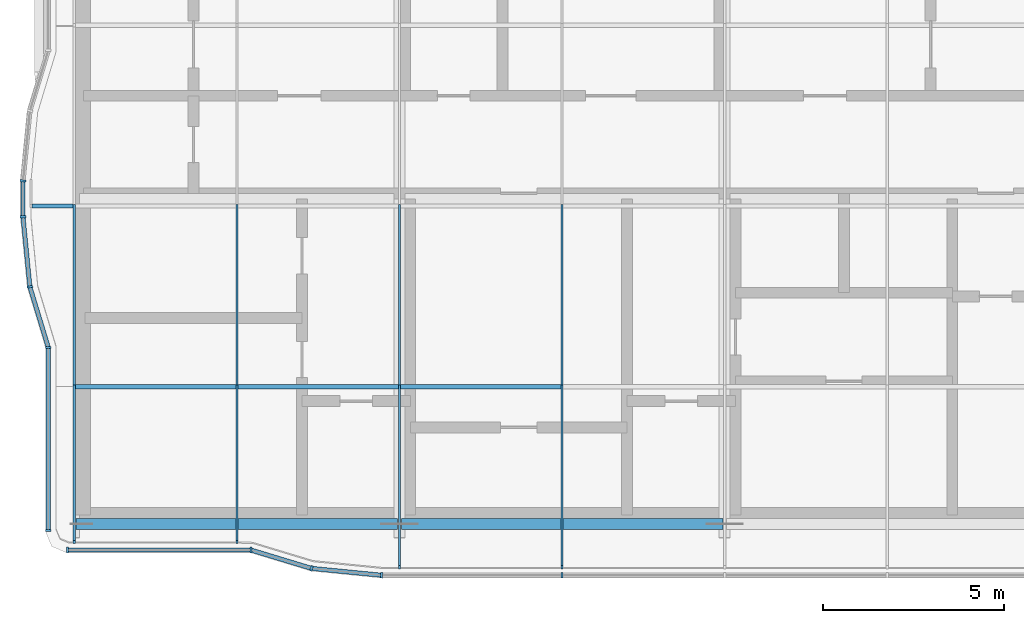
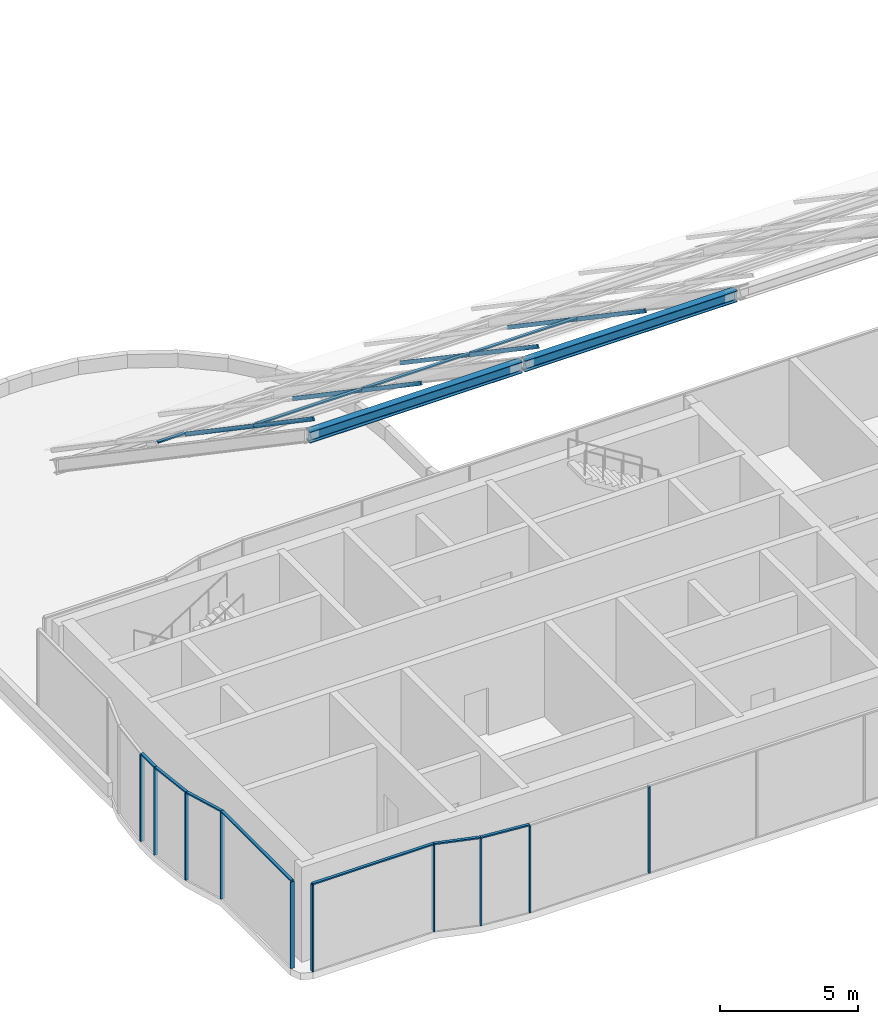
# One storey, part 2 of 25: 31 members, 11 elements without a shape of their own.
"""IFC4 building model written with IfcOpenShell, lengths in metres."""

from ifc_helpers import new_model, si_unit, direction, frame, origin, origin_2d, place, context, subcontext, project, spatial, rectangle, i_section, extrude, material, material_profile, profile_set, type_object, element, aggregate, save


model = new_model("IFC4")

# Units and contexts
model_context = context("Model", 3, precision=1e-05, world=origin(), true_north=direction((0.0, 1.0)))
body_context = subcontext(model_context, "Body", "Model", "MODEL_VIEW")
ifc_project = project(units=[si_unit("LENGTHUNIT", "METRE"), si_unit("AREAUNIT", "SQUARE_METRE"), si_unit("VOLUMEUNIT", "CUBIC_METRE"), si_unit("PLANEANGLEUNIT", "RADIAN"), si_unit("MASSUNIT", "GRAM", prefix="KILO")], contexts=[model_context])

# Site, building, storey
site_placement = place(None, origin())
site = spatial("IfcSite", under=ifc_project, at=site_placement, CompositionType="ELEMENT")
building_placement = place(site_placement, origin())
building = spatial("IfcBuilding", under=site, at=building_placement, Name="Ogive Portal Towers", CompositionType="ELEMENT")
storey_placement = place(building_placement, frame((0.0, 0.0, 272.89990234375)))
storey = spatial("IfcBuildingStorey", under=building, at=storey_placement, Name="L66", CompositionType="ELEMENT", Elevation=272.89990234375)

# Members
ifc_material_1 = material(Name="Steel S355", Category="steel")
ifc_material_profile_1 = material_profile(ifc_material_1, i_section(OverallWidth=0.300048828125, OverallDepth=0.489990234375, WebThickness=0.011962890625, FlangeThickness=0.02294921875, FilletRadius=0.027099609375, at=origin_2d()), Name="HEA 500")
ifc_profile_set_1 = profile_set([ifc_material_profile_1], Name="Steel S355")
member_type_1 = type_object("IfcMemberType", Name="CROWN RIDGE BEAM HEA 500", PredefinedType="STRUT", material=ifc_profile_set_1)
for number, where, z_axis, x_axis, name in (
    (1, (31.550048828125, 21.5, 23.175048828125), (1.0, 0.0, 0.0), (0.0, 1.0, 0.0), "Crown ridge"),
    (2, (40.550048828125, 21.5, 23.175048828125), (1.0, 0.0, 0.0), (0.0, 1.0, 0.0), "Crown ridge"),
):
    element("IfcMember", number, at=place(storey_placement, frame(where, z_axis=z_axis, x_axis=x_axis)), inside=storey, type_object=member_type_1, Name=name, PredefinedType="STRUT", context=body_context, shape_type="SweptSolid", body=[
        extrude(i_section(OverallWidth=0.300048828125, OverallDepth=0.489990234375, WebThickness=0.011962890625, FlangeThickness=0.02294921875, FilletRadius=0.027099609375, at=origin_2d()), origin(), (0.0, 0.0, 1.0), 8.89990234375),
    ])

# Curtain wall, members
ifc_material_2 = material(Name="Glass, clear low-iron insulated glazing", Category="glass")
curtain_wall_type = type_object("IfcCurtainWallType", Name="CW CROWN GLAZING", PredefinedType="NOTDEFINED", material=ifc_material_2)
curtain_wall_1_placement = place(storey_placement, origin())
curtain_wall_1 = element("IfcCurtainWall", 3, at=curtain_wall_1_placement, inside=storey, type_object=curtain_wall_type, Name="A:L66:c00:cw", PredefinedType="NOTDEFINED")
ifc_material_3 = material(Name="Aluminium 6063 anodised", Category="aluminium")
ifc_material_profile_2 = material_profile(ifc_material_3, rectangle(XDim=0.159912109375, YDim=0.06005859375, at=origin_2d()), Name="AL 60x160")
ifc_profile_set_2 = profile_set([ifc_material_profile_2], Name="Aluminium 6063 anodised")
member_type_2 = type_object("IfcMemberType", Name="CW MULLION 60x160", PredefinedType="MULLION", material=ifc_profile_set_2)
member_1_placement = place(storey_placement, frame((30.780029296875, 26.38671875, 0.0), z_axis=(0.0, 0.0, 1.0), x_axis=(1.0, 0.0, 0.0)))
member_1 = element("IfcMember", 4, at=member_1_placement, type_object=member_type_2, Name="mullion", PredefinedType="MULLION", context=body_context, shape_type="SweptSolid", body=[
    extrude(rectangle(XDim=0.159912109375, YDim=0.06005859375, at=origin_2d()), origin(), (0.0, 0.0, 1.0), 3.840087890625),
])
member_2_placement = place(storey_placement, frame((30.780029296875, 21.31591796875, 0.0), z_axis=(0.0, 0.0, 1.0), x_axis=(1.0, 0.0, 0.0)))
member_2 = element("IfcMember", 5, at=member_2_placement, type_object=member_type_2, Name="mullion", PredefinedType="MULLION", context=body_context, shape_type="SweptSolid", body=[
    extrude(rectangle(XDim=0.159912109375, YDim=0.06005859375, at=origin_2d()), origin(), (0.0, 0.0, 1.0), 3.840087890625),
])

curtain_wall_2_placement = place(storey_placement, origin())
curtain_wall_2 = element("IfcCurtainWall", 6, at=curtain_wall_2_placement, inside=storey, type_object=curtain_wall_type, Name="A:L66:c03:cw", PredefinedType="NOTDEFINED")
member_3_placement = place(storey_placement, frame((31.31591796875, 20.780029296875, 0.0), z_axis=(0.0, 0.0, 1.0), x_axis=(0.0, 1.0, 0.0)))
member_3 = element("IfcMember", 7, at=member_3_placement, type_object=member_type_2, Name="mullion", PredefinedType="MULLION", context=body_context, shape_type="SweptSolid", body=[
    extrude(rectangle(XDim=0.159912109375, YDim=0.06005859375, at=origin_2d()), origin(), (0.0, 0.0, 1.0), 3.840087890625),
])
member_4_placement = place(storey_placement, frame((36.38671875, 20.780029296875, 0.0), z_axis=(0.0, 0.0, 1.0), x_axis=(0.0, 1.0, 0.0)))
member_4 = element("IfcMember", 8, at=member_4_placement, type_object=member_type_2, Name="mullion", PredefinedType="MULLION", context=body_context, shape_type="SweptSolid", body=[
    extrude(rectangle(XDim=0.159912109375, YDim=0.06005859375, at=origin_2d()), origin(), (0.0, 0.0, 1.0), 3.840087890625),
])

# Curtain wall, member
curtain_wall_3_placement = place(storey_placement, origin())
curtain_wall_3 = element("IfcCurtainWall", 9, at=curtain_wall_3_placement, inside=storey, type_object=curtain_wall_type, Name="A:L66:c04:cw", PredefinedType="NOTDEFINED")
member_5_placement = place(storey_placement, frame((38.064697265625, 20.27099609375, 0.0), z_axis=(0.0, 0.0, 1.0), x_axis=(0.290284677254, 0.956940335732, 0.0)))
member_5 = element("IfcMember", 10, at=member_5_placement, type_object=member_type_2, Name="mullion", PredefinedType="MULLION", context=body_context, shape_type="SweptSolid", body=[
    extrude(rectangle(XDim=0.159912109375, YDim=0.06005859375, at=origin_2d()), origin(), (0.0, 0.0, 1.0), 3.840087890625),
])

curtain_wall_4_placement = place(storey_placement, origin())
curtain_wall_4 = element("IfcCurtainWall", 11, at=curtain_wall_4_placement, inside=storey, type_object=curtain_wall_type, Name="A:L66:c05:cw", PredefinedType="NOTDEFINED")
member_6_placement = place(storey_placement, frame((40.00390625, 20.080078125, 0.0), z_axis=(0.0, 0.0, 1.0), x_axis=(0.09801714033, 0.995184726672, 0.0)))
member_6 = element("IfcMember", 12, at=member_6_placement, type_object=member_type_2, Name="mullion", PredefinedType="MULLION", context=body_context, shape_type="SweptSolid", body=[
    extrude(rectangle(XDim=0.159912109375, YDim=0.06005859375, at=origin_2d()), origin(), (0.0, 0.0, 1.0), 3.840087890625),
])

curtain_wall_5_placement = place(storey_placement, origin())
curtain_wall_5 = element("IfcCurtainWall", 13, at=curtain_wall_5_placement, inside=storey, type_object=curtain_wall_type, Name="A:L66:c06:cw", PredefinedType="NOTDEFINED")
member_7_placement = place(storey_placement, frame((45.0, 20.080078125, 0.0), z_axis=(0.0, 0.0, 1.0), x_axis=(0.0, 1.0, 0.0)))
member_7 = element("IfcMember", 14, at=member_7_placement, type_object=member_type_2, Name="mullion", PredefinedType="MULLION", context=body_context, shape_type="SweptSolid", body=[
    extrude(rectangle(XDim=0.159912109375, YDim=0.06005859375, at=origin_2d()), origin(), (0.0, 0.0, 1.0), 3.840087890625),
])
aggregate(curtain_wall_5, [member_7])

curtain_wall_6_placement = place(storey_placement, origin())
curtain_wall_6 = element("IfcCurtainWall", 15, at=curtain_wall_6_placement, inside=storey, type_object=curtain_wall_type, Name="A:L66:c20:cw", PredefinedType="NOTDEFINED")
member_8_placement = place(storey_placement, frame((30.080078125, 30.99609375, 0.0), z_axis=(0.0, 0.0, 1.0), x_axis=(0.995184726672, -0.09801714033, 0.0)))
member_8 = element("IfcMember", 16, at=member_8_placement, type_object=member_type_2, Name="mullion", PredefinedType="MULLION", context=body_context, shape_type="SweptSolid", body=[
    extrude(rectangle(XDim=0.159912109375, YDim=0.06005859375, at=origin_2d()), origin(), (0.0, 0.0, 1.0), 3.840087890625),
])
aggregate(curtain_wall_6, [member_8])

curtain_wall_7_placement = place(storey_placement, origin())
curtain_wall_7 = element("IfcCurtainWall", 17, at=curtain_wall_7_placement, inside=storey, type_object=curtain_wall_type, Name="A:L66:c21:cw", PredefinedType="NOTDEFINED")
member_9_placement = place(storey_placement, frame((30.080078125, 30.00390625, 0.0), z_axis=(0.0, 0.0, 1.0), x_axis=(1.0, 0.0, 0.0)))
member_9 = element("IfcMember", 18, at=member_9_placement, type_object=member_type_2, Name="mullion", PredefinedType="MULLION", context=body_context, shape_type="SweptSolid", body=[
    extrude(rectangle(XDim=0.159912109375, YDim=0.06005859375, at=origin_2d()), origin(), (0.0, 0.0, 1.0), 3.840087890625),
])

curtain_wall_8_placement = place(storey_placement, origin())
curtain_wall_8 = element("IfcCurtainWall", 19, at=curtain_wall_8_placement, inside=storey, type_object=curtain_wall_type, Name="A:L66:c22:cw", PredefinedType="NOTDEFINED")
member_10_placement = place(storey_placement, frame((30.27099609375, 28.064697265625, 0.0), z_axis=(0.0, 0.0, 1.0), x_axis=(0.995184726672, 0.09801714033, 0.0)))
member_10 = element("IfcMember", 20, at=member_10_placement, type_object=member_type_2, Name="mullion", PredefinedType="MULLION", context=body_context, shape_type="SweptSolid", body=[
    extrude(rectangle(XDim=0.159912109375, YDim=0.06005859375, at=origin_2d()), origin(), (0.0, 0.0, 1.0), 3.840087890625),
])

# Curtain wall, members
curtain_wall_9_placement = place(storey_placement, origin())
curtain_wall_9 = element("IfcCurtainWall", 21, at=curtain_wall_9_placement, inside=storey, type_object=curtain_wall_type, Name="Crown roof glazing 1", PredefinedType="NOTDEFINED")
ifc_material_profile_3 = material_profile(ifc_material_3, rectangle(XDim=0.06005859375, YDim=0.159912109375, at=origin_2d()), Name="AL 60x160 rafter")
ifc_profile_set_3 = profile_set([ifc_material_profile_3], Name="Aluminium 6063 anodised")
member_type_3 = type_object("IfcMemberType", Name="CW ROOF RAFTER 60x160", PredefinedType="MULLION", material=ifc_profile_set_3)
member_11_placement = place(storey_placement, frame((31.5, 21.0, 24.255615234375), z_axis=(0.0, 0.826923009087, -0.562315158112), x_axis=(-1.0, 0.0, 0.0)))
member_11 = element("IfcMember", 22, at=member_11_placement, type_object=member_type_3, Name="roof rafter", PredefinedType="MULLION", context=body_context, shape_type="SweptSolid", body=[
    extrude(rectangle(XDim=0.06005859375, YDim=0.159912109375, at=origin_2d()), origin(), (0.0, 0.0, 1.0), 5.199951171875),
])
member_12_placement = place(storey_placement, frame((31.5, 25.300048828125, 21.33154296875), z_axis=(0.0, 0.82693401206, -0.562298977146), x_axis=(-1.0, 0.0, 0.0)))
member_12 = element("IfcMember", 23, at=member_12_placement, type_object=member_type_3, Name="roof rafter", PredefinedType="MULLION", context=body_context, shape_type="SweptSolid", body=[
    extrude(rectangle(XDim=0.06005859375, YDim=0.159912109375, at=origin_2d()), origin(), (0.0, 0.0, 1.0), 6.04638671875),
])
member_13_placement = place(storey_placement, frame((36.0, 21.0, 24.255615234375), z_axis=(0.0, 0.826923009087, -0.562315158112), x_axis=(-1.0, 0.0, 0.0)))
member_13 = element("IfcMember", 24, at=member_13_placement, type_object=member_type_3, Name="roof rafter", PredefinedType="MULLION", context=body_context, shape_type="SweptSolid", body=[
    extrude(rectangle(XDim=0.06005859375, YDim=0.159912109375, at=origin_2d()), origin(), (0.0, 0.0, 1.0), 5.199951171875),
])
member_14_placement = place(storey_placement, frame((36.0, 25.300048828125, 21.33154296875), z_axis=(0.0, 0.82693401206, -0.562298977146), x_axis=(-1.0, 0.0, 0.0)))
member_14 = element("IfcMember", 25, at=member_14_placement, type_object=member_type_3, Name="roof rafter", PredefinedType="MULLION", context=body_context, shape_type="SweptSolid", body=[
    extrude(rectangle(XDim=0.06005859375, YDim=0.159912109375, at=origin_2d()), origin(), (0.0, 0.0, 1.0), 6.04638671875),
])
member_15_placement = place(storey_placement, frame((40.5, 20.300048828125, 24.731689453125), z_axis=(0.0, 0.826915237064, -0.562326587236), x_axis=(-1.0, 0.0, 0.0)))
member_15 = element("IfcMember", 26, at=member_15_placement, type_object=member_type_3, Name="roof rafter", PredefinedType="MULLION", context=body_context, shape_type="SweptSolid", body=[
    extrude(rectangle(XDim=0.06005859375, YDim=0.159912109375, at=origin_2d()), origin(), (0.0, 0.0, 1.0), 6.046630859375),
])
member_16_placement = place(storey_placement, frame((40.5, 25.300048828125, 21.33154296875), z_axis=(0.0, 0.82693401206, -0.562298977146), x_axis=(-1.0, 0.0, 0.0)))
member_16 = element("IfcMember", 27, at=member_16_placement, type_object=member_type_3, Name="roof rafter", PredefinedType="MULLION", context=body_context, shape_type="SweptSolid", body=[
    extrude(rectangle(XDim=0.06005859375, YDim=0.159912109375, at=origin_2d()), origin(), (0.0, 0.0, 1.0), 6.04638671875),
])

curtain_wall_10_placement = place(storey_placement, origin())
curtain_wall_10 = element("IfcCurtainWall", 28, at=curtain_wall_10_placement, inside=storey, type_object=curtain_wall_type, Name="Crown roof glazing 2", PredefinedType="NOTDEFINED")
member_17_placement = place(storey_placement, frame((45.0, 20.300048828125, 24.731689453125), z_axis=(0.0, 0.826915237064, -0.562326587236), x_axis=(-1.0, 0.0, 0.0)))
member_17 = element("IfcMember", 29, at=member_17_placement, type_object=member_type_3, Name="roof rafter", PredefinedType="MULLION", context=body_context, shape_type="SweptSolid", body=[
    extrude(rectangle(XDim=0.06005859375, YDim=0.159912109375, at=origin_2d()), origin(), (0.0, 0.0, 1.0), 6.046630859375),
])
member_18_placement = place(storey_placement, frame((45.0, 25.300048828125, 21.33154296875), z_axis=(0.0, 0.82693401206, -0.562298977146), x_axis=(-1.0, 0.0, 0.0)))
member_18 = element("IfcMember", 30, at=member_18_placement, type_object=member_type_3, Name="roof rafter", PredefinedType="MULLION", context=body_context, shape_type="SweptSolid", body=[
    extrude(rectangle(XDim=0.06005859375, YDim=0.159912109375, at=origin_2d()), origin(), (0.0, 0.0, 1.0), 6.04638671875),
])

# Member
ifc_material_profile_4 = material_profile(ifc_material_3, rectangle(XDim=0.1201171875, YDim=0.06005859375, at=origin_2d()), Name="AL 120x60")
ifc_profile_set_4 = profile_set([ifc_material_profile_4], Name="Aluminium 6063 anodised")
member_type_4 = type_object("IfcMemberType", Name="CW TRANSOM 60x120", PredefinedType="USERDEFINED", material=ifc_profile_set_4)
member_19_placement = place(storey_placement, frame((30.780029296875, 26.38671875, 3.8701171875), z_axis=(0.0, -1.0, 0.0), x_axis=(1.0, 0.0, 0.0)))
member_19 = element("IfcMember", 31, at=member_19_placement, type_object=member_type_4, Name="transom", ObjectType="TRANSOM", PredefinedType="USERDEFINED", context=body_context, shape_type="SweptSolid", body=[
    extrude(rectangle(XDim=0.1201171875, YDim=0.06005859375, at=origin_2d()), origin(), (0.0, 0.0, 1.0), 5.07080078125),
])

aggregate(curtain_wall_1, [member_19, member_1, member_2])

member_20_placement = place(storey_placement, frame((31.31591796875, 20.780029296875, 3.8701171875), z_axis=(1.0, 0.0, 0.0), x_axis=(0.0, 1.0, 0.0)))
member_20 = element("IfcMember", 32, at=member_20_placement, type_object=member_type_4, Name="transom", ObjectType="TRANSOM", PredefinedType="USERDEFINED", context=body_context, shape_type="SweptSolid", body=[
    extrude(rectangle(XDim=0.1201171875, YDim=0.06005859375, at=origin_2d()), origin(), (0.0, 0.0, 1.0), 5.07080078125),
])

aggregate(curtain_wall_2, [member_20, member_3, member_4])

member_21_placement = place(storey_placement, frame((36.38671875, 20.780029296875, 3.8701171875), z_axis=(0.956936535945, -0.290297203178, 0.0), x_axis=(0.290297203178, 0.956936535945, 0.0)))
member_21 = element("IfcMember", 33, at=member_21_placement, type_object=member_type_4, Name="transom", ObjectType="TRANSOM", PredefinedType="USERDEFINED", context=body_context, shape_type="SweptSolid", body=[
    extrude(rectangle(XDim=0.1201171875, YDim=0.06005859375, at=origin_2d()), origin(), (0.0, 0.0, 1.0), 1.75341796875),
])

aggregate(curtain_wall_3, [member_21, member_5])

member_22_placement = place(storey_placement, frame((38.064697265625, 20.27099609375, 3.8701171875), z_axis=(0.995188602778, -0.097977777587, 0.0), x_axis=(0.097977777587, 0.995188602778, 0.0)))
member_22 = element("IfcMember", 34, at=member_22_placement, type_object=member_type_4, Name="transom", ObjectType="TRANSOM", PredefinedType="USERDEFINED", context=body_context, shape_type="SweptSolid", body=[
    extrude(rectangle(XDim=0.1201171875, YDim=0.06005859375, at=origin_2d()), origin(), (0.0, 0.0, 1.0), 1.948486328125),
])

aggregate(curtain_wall_4, [member_22, member_6])

member_23_placement = place(storey_placement, frame((30.080078125, 30.99609375, 3.8701171875), z_axis=(0.0, -1.0, 0.0), x_axis=(1.0, 0.0, 0.0)))
member_23 = element("IfcMember", 35, at=member_23_placement, type_object=member_type_4, Name="transom", ObjectType="TRANSOM", PredefinedType="USERDEFINED", context=body_context, shape_type="SweptSolid", body=[
    extrude(rectangle(XDim=0.1201171875, YDim=0.06005859375, at=origin_2d()), origin(), (0.0, 0.0, 1.0), 0.9921875),
])

aggregate(curtain_wall_7, [member_23, member_9])

member_24_placement = place(storey_placement, frame((30.080078125, 30.00390625, 3.8701171875), z_axis=(0.097977777587, -0.995188602778, 0.0), x_axis=(0.995188602778, 0.097977777587, 0.0)))
member_24 = element("IfcMember", 36, at=member_24_placement, type_object=member_type_4, Name="transom", ObjectType="TRANSOM", PredefinedType="USERDEFINED", context=body_context, shape_type="SweptSolid", body=[
    extrude(rectangle(XDim=0.1201171875, YDim=0.06005859375, at=origin_2d()), origin(), (0.0, 0.0, 1.0), 1.948486328125),
])

aggregate(curtain_wall_8, [member_24, member_10])

# Curtain wall, member
curtain_wall_11_placement = place(storey_placement, origin())
curtain_wall_11 = element("IfcCurtainWall", 37, at=curtain_wall_11_placement, inside=storey, type_object=curtain_wall_type, Name="A:L66:c23:cw", PredefinedType="NOTDEFINED")
member_25_placement = place(storey_placement, frame((30.27099609375, 28.064697265625, 3.8701171875), z_axis=(0.290297203178, -0.956936535945, 0.0), x_axis=(0.956936535945, 0.290297203178, 0.0)))
member_25 = element("IfcMember", 38, at=member_25_placement, type_object=member_type_4, Name="transom", ObjectType="TRANSOM", PredefinedType="USERDEFINED", context=body_context, shape_type="SweptSolid", body=[
    extrude(rectangle(XDim=0.1201171875, YDim=0.06005859375, at=origin_2d()), origin(), (0.0, 0.0, 1.0), 1.75341796875),
])
aggregate(curtain_wall_11, [member_25])

# Member
member_26_placement = place(storey_placement, frame((31.530029296875, 25.300048828125, 21.39208984375), z_axis=(1.0, 0.0, 0.0), x_axis=(0.0, 1.0, 0.0)))
member_26 = element("IfcMember", 39, at=member_26_placement, type_object=member_type_4, Name="roof transom", ObjectType="TRANSOM", PredefinedType="USERDEFINED", context=body_context, shape_type="SweptSolid", body=[
    extrude(rectangle(XDim=0.1201171875, YDim=0.06005859375, at=origin_2d()), origin(), (0.0, 0.0, 1.0), 4.43994140625),
])

member_27_placement = place(storey_placement, frame((36.030029296875, 25.300048828125, 21.39208984375), z_axis=(1.0, 0.0, 0.0), x_axis=(0.0, 1.0, 0.0)))
member_27 = element("IfcMember", 40, at=member_27_placement, type_object=member_type_4, Name="roof transom", ObjectType="TRANSOM", PredefinedType="USERDEFINED", context=body_context, shape_type="SweptSolid", body=[
    extrude(rectangle(XDim=0.1201171875, YDim=0.06005859375, at=origin_2d()), origin(), (0.0, 0.0, 1.0), 4.43994140625),
])

member_28_placement = place(storey_placement, frame((30.330078125, 30.300048828125, 17.9921875), z_axis=(1.0, 0.0, 0.0), x_axis=(0.0, 1.0, 0.0)))
member_28 = element("IfcMember", 41, at=member_28_placement, type_object=member_type_4, Name="roof transom", ObjectType="TRANSOM", PredefinedType="USERDEFINED", context=body_context, shape_type="SweptSolid", body=[
    extrude(rectangle(XDim=0.1201171875, YDim=0.06005859375, at=origin_2d()), origin(), (0.0, 0.0, 1.0), 1.139892578125),
])

aggregate(curtain_wall_9, [member_11, member_12, member_13, member_14, member_15, member_16, member_26, member_27, member_28])

member_29_placement = place(storey_placement, frame((40.530029296875, 25.300048828125, 21.39208984375), z_axis=(1.0, 0.0, 0.0), x_axis=(0.0, 1.0, 0.0)))
member_29 = element("IfcMember", 42, at=member_29_placement, type_object=member_type_4, Name="roof transom", ObjectType="TRANSOM", PredefinedType="USERDEFINED", context=body_context, shape_type="SweptSolid", body=[
    extrude(rectangle(XDim=0.1201171875, YDim=0.06005859375, at=origin_2d()), origin(), (0.0, 0.0, 1.0), 4.43994140625),
])

aggregate(curtain_wall_10, [member_17, member_18, member_29])

save(model, "model.ifc")
